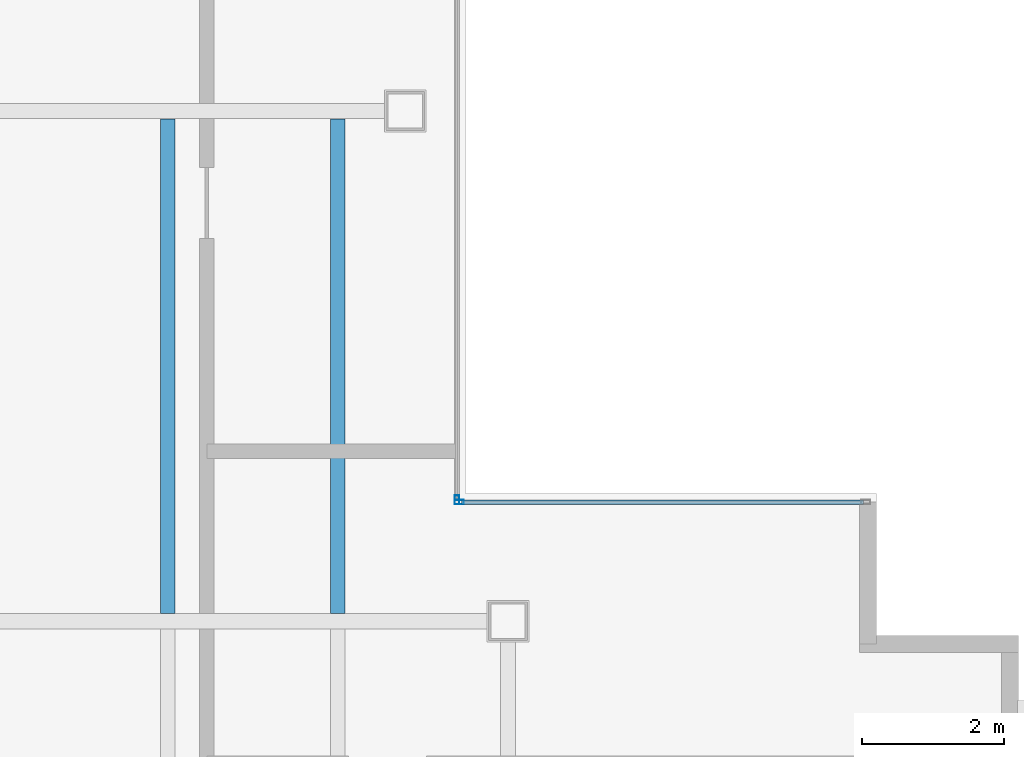
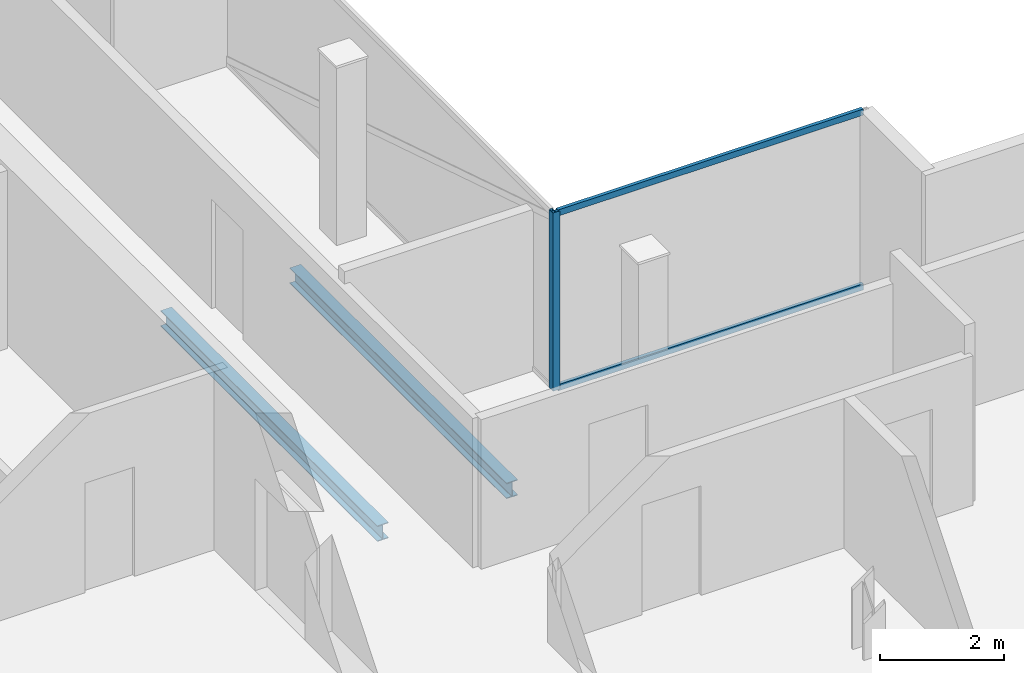
# One storey, part 9 of 15: 4 members, 2 beams, 2 elements without a shape of their own.
"""IFC4 building model written with IfcOpenShell, lengths in metres."""

from ifc_helpers import new_model, si_unit, direction, frame, origin, origin_2d, place, context, subcontext, project, spatial, hollow_rectangle, i_section, extrude, material, material_profile, profile_set, type_object, element, aggregate, save


model = new_model("IFC4")

# Units and contexts
model_context = context("Model", 3, precision=1e-05, world=origin(), true_north=direction((0.0, 1.0)))
body_context = subcontext(model_context, "Body", "Model", "MODEL_VIEW")
ifc_project = project(units=[si_unit("LENGTHUNIT", "METRE"), si_unit("AREAUNIT", "SQUARE_METRE"), si_unit("VOLUMEUNIT", "CUBIC_METRE"), si_unit("PLANEANGLEUNIT", "RADIAN"), si_unit("MASSUNIT", "GRAM", prefix="KILO")], contexts=[model_context])

# Site, building, storey
site_placement = place(None, origin())
site = spatial("IfcSite", under=ifc_project, at=site_placement, CompositionType="ELEMENT")
building_placement = place(site_placement, origin())
building = spatial("IfcBuilding", under=site, at=building_placement, Name="Cobrela Telecom Tower", CompositionType="ELEMENT")
storey_placement = place(building_placement, frame((0.0, 0.0, 301.35009765625)))
storey = spatial("IfcBuildingStorey", under=building, at=storey_placement, Name="L79", CompositionType="ELEMENT", Elevation=301.35009765625)

# Beams
ifc_material_1 = material(Name="Steel ASTM A992 Grade 50", Category="steel")
ifc_material_profile_1 = material_profile(ifc_material_1, i_section(OverallWidth=0.205078125, OverallDepth=0.31005859375, WebThickness=0.009521484375, FlangeThickness=0.016357421875, FilletRadius=0.010986328125, at=origin_2d()), Name="W12X50")
ifc_profile_set_1 = profile_set([ifc_material_profile_1], Name="Steel ASTM A992 Grade 50")
beam_type = type_object("IfcBeamType", Name="BM-JOIST-05", PredefinedType="JOIST", material=ifc_profile_set_1)
for number, where, z_axis, x_axis, name in (
    (1, (16.800048828125, 21.71142578125, -0.4150390625), (0.0, 1.0, 0.0), (-1.0, 0.0, 0.0), "L79 Secondary Composite Floor Beam J02"),
    (2, (19.199951171875, 21.71142578125, -0.4150390625), (0.0, 1.0, 0.0), (-1.0, 0.0, 0.0), "L79 Secondary Composite Floor Beam J04"),
):
    element("IfcBeam", number, at=place(storey_placement, frame(where, z_axis=z_axis, x_axis=x_axis)), inside=storey, type_object=beam_type, Name=name, PredefinedType="JOIST", context=body_context, shape_type="SweptSolid", body=[
        extrude(i_section(OverallWidth=0.205078125, OverallDepth=0.31005859375, WebThickness=0.009521484375, FlangeThickness=0.016357421875, FilletRadius=0.010986328125, at=origin_2d()), origin(), (0.0, 0.0, 1.0), 6.97705078125),
    ])

# Curtain wall, member
ifc_material_2 = material(Name="Anodized Bronze Aluminium 6063-T6", Category="aluminium")
curtain_wall_type = type_object("IfcCurtainWallType", Name="CW-SYS-DRUM", PredefinedType="USERDEFINED", material=ifc_material_2)
curtain_wall_1_placement = place(storey_placement, origin())
curtain_wall_1 = element("IfcCurtainWall", 3, at=curtain_wall_1_placement, inside=storey, type_object=curtain_wall_type, Name="L79 Unitised Bronze Curtain Wall 04", ObjectType="UNITISED CURTAIN WALL", PredefinedType="USERDEFINED")
ifc_material_profile_2 = material_profile(ifc_material_2, hollow_rectangle(XDim=0.06494140625, YDim=0.1298828125, WallThickness=0.00390625, at=origin_2d()), Name="ALU 65x130x4")
ifc_profile_set_2 = profile_set([ifc_material_profile_2], Name="Anodized Bronze Aluminium 6063-T6")
member_type_1 = type_object("IfcMemberType", Name="CW-SYS-DRUM-MUL", PredefinedType="MULLION", material=ifc_profile_set_2)
member_1_placement = place(storey_placement, frame((20.8798828125, 23.3125, 0.0), z_axis=(0.0, 0.0, 1.0), x_axis=(1.0, 0.0, 0.0)))
member_1 = element("IfcMember", 4, at=member_1_placement, type_object=member_type_1, Name="CW-DRUM mullion 2", PredefinedType="MULLION", context=body_context, shape_type="SweptSolid", body=[
    extrude(hollow_rectangle(XDim=0.06494140625, YDim=0.1298828125, WallThickness=0.00390625, at=origin_2d()), origin(), (0.0, 0.0, 1.0), 3.5),
])
aggregate(curtain_wall_1, [member_1])

# Curtain wall, members
curtain_wall_2_placement = place(storey_placement, origin())
curtain_wall_2 = element("IfcCurtainWall", 5, at=curtain_wall_2_placement, inside=storey, type_object=curtain_wall_type, Name="L79 Unitised Bronze Curtain Wall 05", ObjectType="UNITISED CURTAIN WALL", PredefinedType="USERDEFINED")
member_2_placement = place(storey_placement, frame((20.91259765625, 23.280029296875, 0.0), z_axis=(0.0, 0.0, 1.0), x_axis=(0.0, 1.0, 0.0)))
member_2 = element("IfcMember", 6, at=member_2_placement, type_object=member_type_1, Name="CW-DRUM mullion 1", PredefinedType="MULLION", context=body_context, shape_type="SweptSolid", body=[
    extrude(hollow_rectangle(XDim=0.06494140625, YDim=0.1298828125, WallThickness=0.00390625, at=origin_2d()), origin(), (0.0, 0.0, 1.0), 3.5),
])
ifc_material_profile_3 = material_profile(ifc_material_2, hollow_rectangle(XDim=0.06494140625, YDim=0.1201171875, WallThickness=0.00390625, at=origin_2d()), Name="ALU 65x120x4")
ifc_profile_set_3 = profile_set([ifc_material_profile_3], Name="Anodized Bronze Aluminium 6063-T6")
member_type_2 = type_object("IfcMemberType", Name="CW-SYS-DRUM-TRN", PredefinedType="USERDEFINED", material=ifc_profile_set_3)
member_3_placement = place(storey_placement, frame((20.945068359375, 23.280029296875, 0.032470703125), z_axis=(1.0, 0.0, 0.0), x_axis=(0.0, 1.0, 0.0)))
member_3 = element("IfcMember", 7, at=member_3_placement, type_object=member_type_2, Name="CW-DRUM transom 1.1", ObjectType="TRANSOM", PredefinedType="USERDEFINED", context=body_context, shape_type="SweptSolid", body=[
    extrude(hollow_rectangle(XDim=0.06494140625, YDim=0.1201171875, WallThickness=0.00390625, at=origin_2d()), origin(), (0.0, 0.0, 1.0), 5.669921875),
])
member_4_placement = place(storey_placement, frame((20.945068359375, 23.280029296875, 3.46728515625), z_axis=(1.0, 0.0, 0.0), x_axis=(0.0, 1.0, 0.0)))
member_4 = element("IfcMember", 8, at=member_4_placement, type_object=member_type_2, Name="CW-DRUM transom 1.2", ObjectType="TRANSOM", PredefinedType="USERDEFINED", context=body_context, shape_type="SweptSolid", body=[
    extrude(hollow_rectangle(XDim=0.06494140625, YDim=0.1201171875, WallThickness=0.00390625, at=origin_2d()), origin(), (0.0, 0.0, 1.0), 5.669921875),
])
aggregate(curtain_wall_2, [member_2, member_3, member_4])

save(model, "model.ifc")
